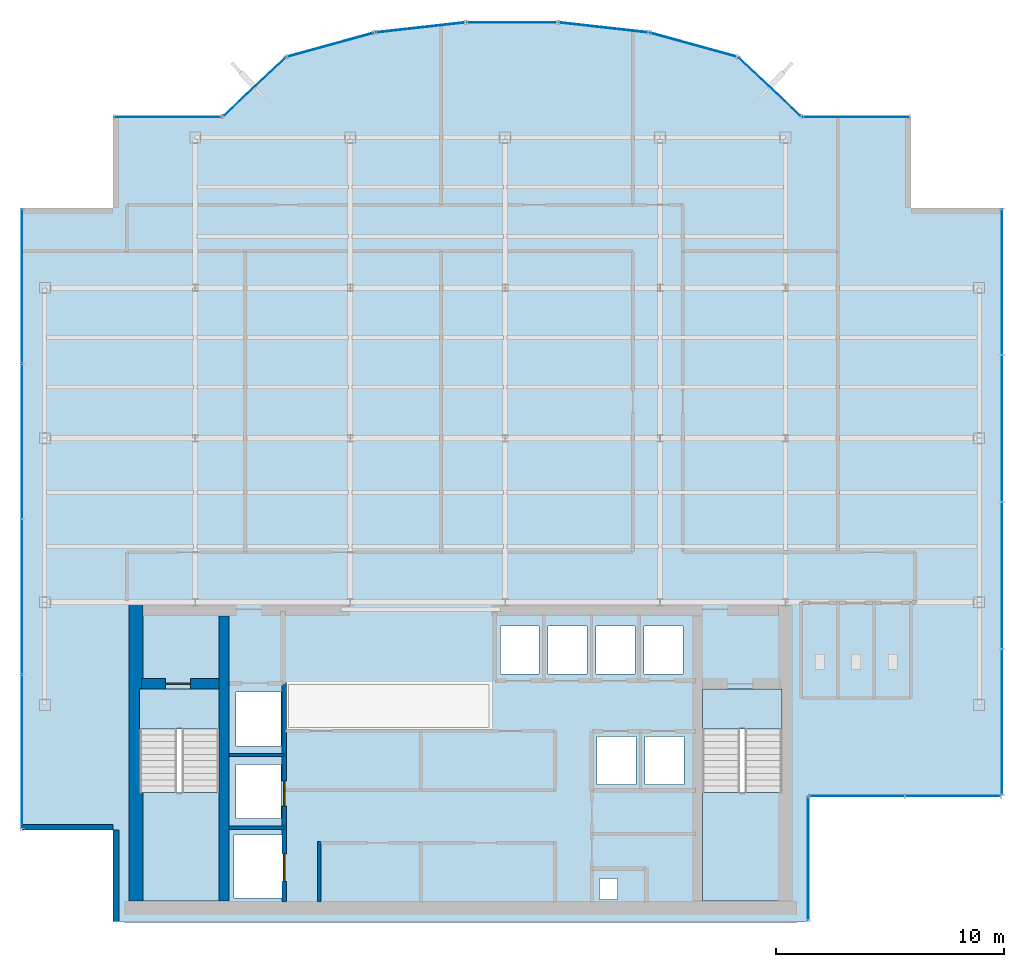
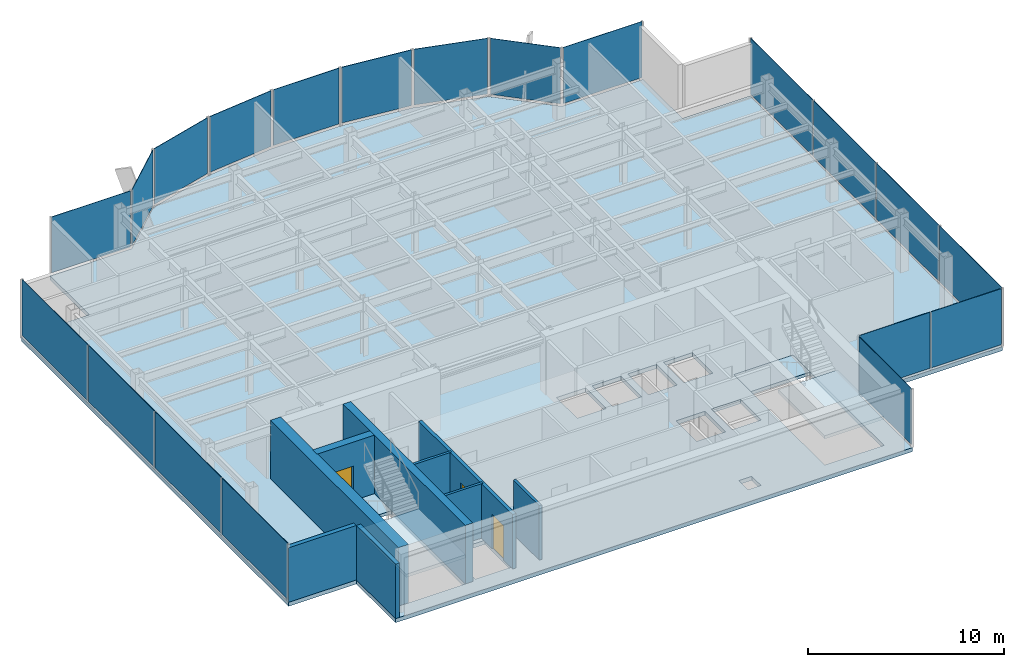
# One storey, part 16 of 22: 20 plates, 9 walls, 5 slabs, 3 doors, 3 openings, 15 elements without a shape of their own.
"""IFC4 building model written with IfcOpenShell, lengths in metres."""

from ifc_helpers import new_model, si_unit, derived_unit, direction, frame, frame_2d, origin, origin_2d, place, context, subcontext, project, spatial, polyline, rectangle, outline, extrude, source, transform, mapped, material, layer, layer_set, type_object, element, fill, aggregate, save


model = new_model("IFC4")

# Units and contexts
model_context = context("Model", 3, precision=1e-05, world=origin(), true_north=direction((0.0, 1.0)))
body_context = subcontext(model_context, "Body", "Model", "MODEL_VIEW")
ifc_project = project(units=[si_unit("LENGTHUNIT", "METRE"), si_unit("AREAUNIT", "SQUARE_METRE"), si_unit("VOLUMEUNIT", "CUBIC_METRE"), si_unit("PLANEANGLEUNIT", "RADIAN"), si_unit("MASSUNIT", "GRAM", prefix="KILO"), derived_unit("THERMALTRANSMITTANCEUNIT", [(si_unit("POWERUNIT", "WATT"), 1), (si_unit("LENGTHUNIT", "METRE"), -2), (si_unit("THERMODYNAMICTEMPERATUREUNIT", "KELVIN"), -1)])], contexts=[model_context])

# Site, building, storey
site_placement = place(None, origin())
site = spatial("IfcSite", under=ifc_project, at=site_placement, CompositionType="ELEMENT")
building_placement = place(site_placement, origin())
building = spatial("IfcBuilding", under=site, at=building_placement, Name="Skarnbrae Concourse Arena and Tower", CompositionType="ELEMENT")
storey_placement = place(building_placement, frame((0.0, 0.0, 203.199951171875)))
storey = spatial("IfcBuildingStorey", under=building, at=storey_placement, Name="L52", CompositionType="ELEMENT", Elevation=203.199951171875)

# Stair, slab
ifc_material_1 = material(Name="Concrete 40 MPa (C40/50)", Category="concrete")
stair_type = type_object("IfcStairType", Name="STAIR-DOGLEG-1650", PredefinedType="HALF_TURN_STAIR", material=ifc_material_1)
stair_1_placement = place(storey_placement, origin())
stair_1 = element("IfcStair", 1, at=stair_1_placement, inside=storey, type_object=stair_type, Name="L52 Protected Exit Stair ST-1", PredefinedType="HALF_TURN_STAIR")
ifc_layer_1 = layer(ifc_material_1, 0.199951171875)
ifc_layer_set_1 = layer_set([ifc_layer_1], Name="Concrete 40 MPa (C40/50)")
slab_type_1 = type_object("IfcSlabType", Name="SLAB-LANDING-200", PredefinedType="LANDING", material=ifc_layer_set_1)
slab_1_placement = place(storey_placement, frame((0.0, 0.0, 1.625)))
slab_1 = element("IfcSlab", 2, at=slab_1_placement, type_object=slab_type_1, Name="ST-1 landing 1", PredefinedType="LANDING", context=body_context, shape_type="SweptSolid", body=[
    extrude(outline(polyline([(5.14990234375, 5.64990234375), (5.14990234375, 0.89990234375), (8.64990234375, 0.89990234375), (8.64990234375, 5.64990234375), (5.14990234375, 5.64990234375)])), origin(), (0.0, 0.0, 1.0), 0.199951171875),
])
aggregate(stair_1, [slab_1])

stair_2_placement = place(storey_placement, origin())
stair_2 = element("IfcStair", 3, at=stair_2_placement, inside=storey, type_object=stair_type, Name="L52 Protected Exit Stair ST-2", PredefinedType="HALF_TURN_STAIR")
slab_2_placement = place(storey_placement, frame((0.0, 0.0, 1.625)))
slab_2 = element("IfcSlab", 4, at=slab_2_placement, type_object=slab_type_1, Name="ST-2 landing 1", PredefinedType="LANDING", context=body_context, shape_type="SweptSolid", body=[
    extrude(outline(polyline([(29.85009765625, 5.64990234375), (29.85009765625, 0.89990234375), (33.35009765625, 0.89990234375), (33.35009765625, 5.64990234375), (29.85009765625, 5.64990234375)])), origin(), (0.0, 0.0, 1.0), 0.199951171875),
])
aggregate(stair_2, [slab_2])

# Slabs
slab_3_placement = place(storey_placement, frame((0.0, 0.0, -0.199951171875)))
element("IfcSlab", 5, at=slab_3_placement, inside=storey, type_object=slab_type_1, Name="L52 Core stair ST1 floor landing", PredefinedType="LANDING", context=body_context, shape_type="SweptSolid", body=[
    extrude(outline(polyline([(5.14990234375, 10.199951171875), (5.14990234375, 8.449951171875), (8.64990234375, 8.449951171875), (8.64990234375, 10.199951171875), (5.14990234375, 10.199951171875)])), origin(), (0.0, 0.0, 1.0), 0.199951171875),
])
slab_4_placement = place(storey_placement, frame((0.0, 0.0, -0.199951171875)))
element("IfcSlab", 6, at=slab_4_placement, inside=storey, type_object=slab_type_1, Name="L52 Core stair ST2 floor landing", PredefinedType="LANDING", context=body_context, shape_type="SweptSolid", body=[
    extrude(outline(polyline([(29.85009765625, 10.199951171875), (29.85009765625, 8.449951171875), (33.35009765625, 8.449951171875), (33.35009765625, 10.199951171875), (29.85009765625, 10.199951171875)])), origin(), (0.0, 0.0, 1.0), 0.199951171875),
])
ifc_layer_2 = layer(ifc_material_1, 0.25)
ifc_layer_set_2 = layer_set([ifc_layer_2], Name="Concrete 40 MPa (C40/50)")
slab_type_2 = type_object("IfcSlabType", Name="SLAB-TOWER-250", PredefinedType="FLOOR", material=ifc_layer_set_2)
slab_5_placement = place(storey_placement, frame((0.0, 0.0, -0.25)))
element("IfcSlab", 7, at=slab_5_placement, inside=storey, type_object=slab_type_2, Name="L52 Structural floor slab", PredefinedType="FLOOR", context=body_context, shape_type="SweptSolid", body=[
    extrude(outline(polyline([(4.0, 0.0), (34.5, 0.0), (34.5, 5.5), (43.0, 5.5), (43.0, 31.300048828125), (39.0, 31.300048828125), (39.0, 35.300048828125), (34.199951171875, 35.300048828125), (31.40966796875, 37.9267578125), (27.52587890625, 38.9970703125), (23.51708984375, 39.44677734375), (19.48291015625, 39.44677734375), (15.47412109375, 38.9970703125), (11.59033203125, 37.9267578125), (8.800048828125, 35.300048828125), (4.0, 35.300048828125), (4.0, 31.300048828125), (0.0, 31.300048828125), (0.0, 4.0), (4.0, 4.0), (4.0, 0.0)]), holes=[polyline([(9.294921875, 1.02001953125), (9.294921875, 3.780029296875), (11.455078125, 3.780029296875), (11.455078125, 1.02001953125), (9.294921875, 1.02001953125)]), polyline([(8.64990234375, 10.199951171875), (8.64990234375, 0.89990234375), (5.14990234375, 0.89990234375), (5.14990234375, 10.199951171875), (8.64990234375, 10.199951171875)]), polyline([(9.39501953125, 6.8798828125), (11.35498046875, 6.8798828125), (11.35498046875, 4.52001953125), (9.39501953125, 4.52001953125), (9.39501953125, 6.8798828125)]), polyline([(9.39501953125, 7.695068359375), (9.39501953125, 10.054931640625), (11.35498046875, 10.054931640625), (11.35498046875, 7.695068359375), (9.39501953125, 7.695068359375)]), polyline([(20.985107421875, 12.955078125), (22.695068359375, 12.955078125), (22.695068359375, 10.844970703125), (20.985107421875, 10.844970703125), (20.985107421875, 12.955078125)]), polyline([(23.0849609375, 12.955078125), (24.794921875, 12.955078125), (24.794921875, 10.844970703125), (23.0849609375, 10.844970703125), (23.0849609375, 12.955078125)]), polyline([(25.35009765625, 0.949951171875), (25.35009765625, 1.889892578125), (26.1201171875, 1.889892578125), (26.1201171875, 0.949951171875), (25.35009765625, 0.949951171875)]), polyline([(33.35009765625, 10.199951171875), (33.35009765625, 0.89990234375), (29.85009765625, 0.89990234375), (29.85009765625, 10.199951171875), (33.35009765625, 10.199951171875)]), polyline([(25.235107421875, 8.10498046875), (26.945068359375, 8.10498046875), (26.945068359375, 5.9951171875), (25.235107421875, 5.9951171875), (25.235107421875, 8.10498046875)]), polyline([(27.3349609375, 5.9951171875), (27.3349609375, 8.10498046875), (29.044921875, 8.10498046875), (29.044921875, 5.9951171875), (27.3349609375, 5.9951171875)]), polyline([(25.18505859375, 12.955078125), (26.89501953125, 12.955078125), (26.89501953125, 10.844970703125), (25.18505859375, 10.844970703125), (25.18505859375, 12.955078125)]), polyline([(27.284912109375, 12.955078125), (28.9951171875, 12.955078125), (28.9951171875, 10.844970703125), (27.284912109375, 10.844970703125), (27.284912109375, 12.955078125)])]), origin(), (0.0, 0.0, 1.0), 0.25),
])

# Curtain wall, plate
ifc_material_2 = material(Name="Bronze anodised aluminium 6063-T6", Category="aluminium")
curtain_wall_type_1 = type_object("IfcCurtainWallType", Name="CW-SYS-05-HIGHZONE", PredefinedType="USERDEFINED", material=ifc_material_2)
curtain_wall_1_placement = place(storey_placement, origin())
curtain_wall_1 = element("IfcCurtainWall", 8, at=curtain_wall_1_placement, inside=storey, type_object=curtain_wall_type_1, Name="L52 Unitised curtain wall CW-L52-E02", ObjectType="UNITISED CURTAIN WALL", PredefinedType="USERDEFINED")
ifc_material_3 = material(Name="Low-E triple insulating glass", Category="glass")
ifc_layer_3 = layer(ifc_material_3, 0.030029296875)
ifc_layer_set_3 = layer_set([ifc_layer_3], Name="Low-E triple insulating glass")
plate_type_1 = type_object("IfcPlateType", Name="CWP-CW-05", PredefinedType="CURTAIN_PANEL", material=ifc_layer_set_3)
shared_shape_1 = source(origin(), body_context, "Body", "SweptSolid", [
    extrude(rectangle(XDim=5.35009765625, YDim=0.030029296875, at=origin_2d()), origin(), (0.0, 0.0, 1.0), 3.5),
])
plate_1_placement = place(storey_placement, frame((34.5, 2.75, 0.150146484375), z_axis=(0.0, 0.0, 1.0), x_axis=(0.0, 1.0, 0.0)))
plate_1 = element("IfcPlate", 9, at=plate_1_placement, type_object=plate_type_1, Name="CW-L52-E02 Low-E Glazing Panel 1", PredefinedType="CURTAIN_PANEL", context=body_context, shape_type="MappedRepresentation", body=[
    mapped(shared_shape_1, transform((0.0, 0.0, 0.0))),
])
aggregate(curtain_wall_1, [plate_1])

# Curtain wall, plates
curtain_wall_2_placement = place(storey_placement, origin())
curtain_wall_2 = element("IfcCurtainWall", 10, at=curtain_wall_2_placement, inside=storey, type_object=curtain_wall_type_1, Name="L52 Unitised curtain wall CW-L52-E03", ObjectType="UNITISED CURTAIN WALL", PredefinedType="USERDEFINED")
shared_shape_2 = source(origin(), body_context, "Body", "SweptSolid", [
    extrude(rectangle(XDim=4.137451171875, YDim=0.030029296875, at=origin_2d()), origin(), (0.0, 0.0, 1.0), 3.5),
])
plate_2_placement = place(storey_placement, frame((36.643798828125, 5.5, 0.150146484375), z_axis=(0.0, 0.0, 1.0), x_axis=(1.0, 0.0, 0.0)))
plate_2 = element("IfcPlate", 11, at=plate_2_placement, type_object=plate_type_1, Name="CW-L52-E03 Low-E Glazing Panel 1", PredefinedType="CURTAIN_PANEL", context=body_context, shape_type="MappedRepresentation", body=[
    mapped(shared_shape_2, transform((0.0, 0.0, 0.0))),
])
plate_3_placement = place(storey_placement, frame((40.856201171875, 5.5, 0.150146484375), z_axis=(0.0, 0.0, 1.0), x_axis=(1.0, 0.0, 0.0)))
plate_3 = element("IfcPlate", 12, at=plate_3_placement, type_object=plate_type_1, Name="CW-L52-E03 Low-E Glazing Panel 2", PredefinedType="CURTAIN_PANEL", context=body_context, shape_type="MappedRepresentation", body=[
    mapped(shared_shape_2, transform((0.0, 0.0, 0.0))),
])
aggregate(curtain_wall_2, [plate_2, plate_3])

# Curtain wall, plate
curtain_wall_3_placement = place(storey_placement, origin())
curtain_wall_3 = element("IfcCurtainWall", 13, at=curtain_wall_3_placement, inside=storey, type_object=curtain_wall_type_1, Name="L52 Unitised curtain wall CW-L52-E07", ObjectType="UNITISED CURTAIN WALL", PredefinedType="USERDEFINED")
shared_shape_3 = source(origin(), body_context, "Body", "SweptSolid", [
    extrude(rectangle(XDim=4.64990234375, YDim=0.030029296875, at=origin_2d()), origin(), (0.0, 0.0, 1.0), 3.5),
])
plate_4_placement = place(storey_placement, frame((36.60009765625, 35.300048828125, 0.150146484375), z_axis=(0.0, 0.0, 1.0), x_axis=(-1.0, 0.0, 0.0)))
plate_4 = element("IfcPlate", 14, at=plate_4_placement, type_object=plate_type_1, Name="CW-L52-E07 Low-E Glazing Panel 1", PredefinedType="CURTAIN_PANEL", context=body_context, shape_type="MappedRepresentation", body=[
    mapped(shared_shape_3, transform((0.0, 0.0, 0.0))),
])
aggregate(curtain_wall_3, [plate_4])

curtain_wall_4_placement = place(storey_placement, origin())
curtain_wall_4 = element("IfcCurtainWall", 15, at=curtain_wall_4_placement, inside=storey, type_object=curtain_wall_type_1, Name="L52 Unitised curtain wall CW-L52-E15", ObjectType="UNITISED CURTAIN WALL", PredefinedType="USERDEFINED")
plate_5_placement = place(storey_placement, frame((6.39990234375, 35.300048828125, 0.150146484375), z_axis=(0.0, 0.0, 1.0), x_axis=(-1.0, 0.0, 0.0)))
plate_5 = element("IfcPlate", 16, at=plate_5_placement, type_object=plate_type_1, Name="CW-L52-E15 Low-E Glazing Panel 1", PredefinedType="CURTAIN_PANEL", context=body_context, shape_type="MappedRepresentation", body=[
    mapped(shared_shape_3, transform((0.0, 0.0, 0.0))),
])
aggregate(curtain_wall_4, [plate_5])

curtain_wall_5_placement = place(storey_placement, origin())
curtain_wall_5 = element("IfcCurtainWall", 17, at=curtain_wall_5_placement, inside=storey, type_object=curtain_wall_type_1, Name="L52 Unitised curtain wall CW-L52-E08", ObjectType="UNITISED CURTAIN WALL", PredefinedType="USERDEFINED")
shared_shape_4 = source(origin(), body_context, "Body", "SweptSolid", [
    extrude(rectangle(XDim=3.68212890625, YDim=0.030029296875, at=origin_2d()), origin(), (0.0, 0.0, 1.0), 3.5),
])
plate_6_placement = place(storey_placement, frame((32.804931640625, 36.61328125, 0.150146484375), z_axis=(0.0, 0.0, 1.0), x_axis=(-0.728130555214, 0.685438468838, 0.0)))
plate_6 = element("IfcPlate", 18, at=plate_6_placement, type_object=plate_type_1, Name="CW-L52-E08 Low-E Glazing Panel 1", PredefinedType="CURTAIN_PANEL", context=body_context, shape_type="MappedRepresentation", body=[
    mapped(shared_shape_4, transform((0.0, 0.0, 0.0))),
])
aggregate(curtain_wall_5, [plate_6])

curtain_wall_6_placement = place(storey_placement, origin())
curtain_wall_6 = element("IfcCurtainWall", 19, at=curtain_wall_6_placement, inside=storey, type_object=curtain_wall_type_1, Name="L52 Unitised curtain wall CW-L52-E14", ObjectType="UNITISED CURTAIN WALL", PredefinedType="USERDEFINED")
plate_7_placement = place(storey_placement, frame((10.195068359375, 36.61328125, 0.150146484375), z_axis=(0.0, 0.0, 1.0), x_axis=(-0.728130555214, -0.685438468838, 0.0)))
plate_7 = element("IfcPlate", 20, at=plate_7_placement, type_object=plate_type_1, Name="CW-L52-E14 Low-E Glazing Panel 1", PredefinedType="CURTAIN_PANEL", context=body_context, shape_type="MappedRepresentation", body=[
    mapped(shared_shape_4, transform((0.0, 0.0, 0.0))),
])
aggregate(curtain_wall_6, [plate_7])

# Curtain wall, plates
curtain_wall_7_placement = place(storey_placement, origin())
curtain_wall_7 = element("IfcCurtainWall", 21, at=curtain_wall_7_placement, inside=storey, type_object=curtain_wall_type_1, Name="L52 Unitised curtain wall CW-L52-E18", ObjectType="UNITISED CURTAIN WALL", PredefinedType="USERDEFINED")
shared_shape_5 = source(origin(), body_context, "Body", "SweptSolid", [
    extrude(rectangle(XDim=6.71240234375, YDim=0.030029296875, at=origin_2d()), origin(), (0.0, 0.0, 1.0), 3.5),
])
plate_8_placement = place(storey_placement, frame((0.0, 27.86865234375, 0.150146484375), z_axis=(0.0, 0.0, 1.0), x_axis=(0.0, -1.0, 0.0)))
plate_8 = element("IfcPlate", 22, at=plate_8_placement, type_object=plate_type_1, Name="CW-L52-E18 Low-E Glazing Panel 1", PredefinedType="CURTAIN_PANEL", context=body_context, shape_type="MappedRepresentation", body=[
    mapped(shared_shape_5, transform((0.0, 0.0, 0.0))),
])
plate_9_placement = place(storey_placement, frame((0.0, 7.431396484375, 0.150146484375), z_axis=(0.0, 0.0, 1.0), x_axis=(0.0, -1.0, 0.0)))
plate_9 = element("IfcPlate", 23, at=plate_9_placement, type_object=plate_type_1, Name="CW-L52-E18 Low-E Glazing Panel 4", PredefinedType="CURTAIN_PANEL", context=body_context, shape_type="MappedRepresentation", body=[
    mapped(shared_shape_5, transform((0.0, 0.0, 0.0))),
])
shared_shape_6 = source(origin(), body_context, "Body", "SweptSolid", [
    extrude(rectangle(XDim=6.75, YDim=0.030029296875, at=origin_2d()), origin(), (0.0, 0.0, 1.0), 3.5),
])
plate_10_placement = place(storey_placement, frame((0.0, 21.0625, 0.150146484375), z_axis=(0.0, 0.0, 1.0), x_axis=(0.0, -1.0, 0.0)))
plate_10 = element("IfcPlate", 24, at=plate_10_placement, type_object=plate_type_1, Name="CW-L52-E18 Low-E Glazing Panel 2", PredefinedType="CURTAIN_PANEL", context=body_context, shape_type="MappedRepresentation", body=[
    mapped(shared_shape_6, transform((0.0, 0.0, 0.0))),
])
plate_11_placement = place(storey_placement, frame((0.0, 14.237548828125, 0.150146484375), z_axis=(0.0, 0.0, 1.0), x_axis=(0.0, -1.0, 0.0)))
plate_11 = element("IfcPlate", 25, at=plate_11_placement, type_object=plate_type_1, Name="CW-L52-E18 Low-E Glazing Panel 3", PredefinedType="CURTAIN_PANEL", context=body_context, shape_type="MappedRepresentation", body=[
    mapped(shared_shape_6, transform((0.0, 0.0, 0.0))),
])
aggregate(curtain_wall_7, [plate_8, plate_10, plate_11, plate_9])

curtain_wall_8_placement = place(storey_placement, origin())
curtain_wall_8 = element("IfcCurtainWall", 26, at=curtain_wall_8_placement, inside=storey, type_object=curtain_wall_type_1, Name="L52 Unitised curtain wall CW-L52-E04", ObjectType="UNITISED CURTAIN WALL", PredefinedType="USERDEFINED")
shared_shape_7 = source(origin(), body_context, "Body", "SweptSolid", [
    extrude(rectangle(XDim=6.33740234375, YDim=0.030029296875, at=origin_2d()), origin(), (0.0, 0.0, 1.0), 3.5),
])
plate_12_placement = place(storey_placement, frame((43.0, 8.743896484375, 0.150146484375), z_axis=(0.0, 0.0, 1.0), x_axis=(0.0, 1.0, 0.0)))
plate_12 = element("IfcPlate", 27, at=plate_12_placement, type_object=plate_type_1, Name="CW-L52-E04 Low-E Glazing Panel 1", PredefinedType="CURTAIN_PANEL", context=body_context, shape_type="MappedRepresentation", body=[
    mapped(shared_shape_7, transform((0.0, 0.0, 0.0))),
])
plate_13_placement = place(storey_placement, frame((43.0, 28.05615234375, 0.150146484375), z_axis=(0.0, 0.0, 1.0), x_axis=(0.0, 1.0, 0.0)))
plate_13 = element("IfcPlate", 28, at=plate_13_placement, type_object=plate_type_1, Name="CW-L52-E04 Low-E Glazing Panel 4", PredefinedType="CURTAIN_PANEL", context=body_context, shape_type="MappedRepresentation", body=[
    mapped(shared_shape_7, transform((0.0, 0.0, 0.0))),
])
shared_shape_8 = source(origin(), body_context, "Body", "SweptSolid", [
    extrude(rectangle(XDim=6.375, YDim=0.030029296875, at=origin_2d()), origin(), (0.0, 0.0, 1.0), 3.5),
])
plate_14_placement = place(storey_placement, frame((43.0, 15.175048828125, 0.150146484375), z_axis=(0.0, 0.0, 1.0), x_axis=(0.0, 1.0, 0.0)))
plate_14 = element("IfcPlate", 29, at=plate_14_placement, type_object=plate_type_1, Name="CW-L52-E04 Low-E Glazing Panel 2", PredefinedType="CURTAIN_PANEL", context=body_context, shape_type="MappedRepresentation", body=[
    mapped(shared_shape_8, transform((0.0, 0.0, 0.0))),
])
plate_15_placement = place(storey_placement, frame((43.0, 21.625, 0.150146484375), z_axis=(0.0, 0.0, 1.0), x_axis=(0.0, 1.0, 0.0)))
plate_15 = element("IfcPlate", 30, at=plate_15_placement, type_object=plate_type_1, Name="CW-L52-E04 Low-E Glazing Panel 3", PredefinedType="CURTAIN_PANEL", context=body_context, shape_type="MappedRepresentation", body=[
    mapped(shared_shape_8, transform((0.0, 0.0, 0.0))),
])
aggregate(curtain_wall_8, [plate_12, plate_14, plate_15, plate_13])

# Curtain wall, plate
curtain_wall_type_2 = type_object("IfcCurtainWallType", Name="CW-SYS-03-PORTAL", PredefinedType="USERDEFINED", material=ifc_material_2)
curtain_wall_9_placement = place(storey_placement, origin())
curtain_wall_9 = element("IfcCurtainWall", 31, at=curtain_wall_9_placement, inside=storey, type_object=curtain_wall_type_2, Name="L52 Unitised curtain wall CW-L52-E09", ObjectType="UNITISED CURTAIN WALL", PredefinedType="USERDEFINED")
ifc_layer_4 = layer(ifc_material_3, 0.033935546875)
ifc_layer_set_4 = layer_set([ifc_layer_4], Name="Low-E triple insulating glass")
plate_type_2 = type_object("IfcPlateType", Name="CWP-CW-03", PredefinedType="CURTAIN_PANEL", material=ifc_layer_set_4)
shared_shape_9 = source(origin(), body_context, "Body", "SweptSolid", [
    extrude(rectangle(XDim=3.86865234375, YDim=0.033935546875, at=origin_2d()), origin(), (0.0, 0.0, 1.0), 3.47998046875),
])
plate_16_placement = place(storey_placement, frame((29.4677734375, 38.4619140625, 0.170166015625), z_axis=(0.0, 0.0, 1.0), x_axis=(-0.964057388766, 0.265694093207, 0.0)))
plate_16 = element("IfcPlate", 32, at=plate_16_placement, type_object=plate_type_2, Name="CW-L52-E09 Low-E Glazing Panel 1", PredefinedType="CURTAIN_PANEL", context=body_context, shape_type="MappedRepresentation", body=[
    mapped(shared_shape_9, transform((0.0, 0.0, 0.0))),
])
aggregate(curtain_wall_9, [plate_16])

curtain_wall_10_placement = place(storey_placement, origin())
curtain_wall_10 = element("IfcCurtainWall", 33, at=curtain_wall_10_placement, inside=storey, type_object=curtain_wall_type_2, Name="L52 Unitised curtain wall CW-L52-E13", ObjectType="UNITISED CURTAIN WALL", PredefinedType="USERDEFINED")
plate_17_placement = place(storey_placement, frame((13.5322265625, 38.4619140625, 0.170166015625), z_axis=(0.0, 0.0, 1.0), x_axis=(-0.964057388766, -0.265694093207, 0.0)))
plate_17 = element("IfcPlate", 34, at=plate_17_placement, type_object=plate_type_2, Name="CW-L52-E13 Low-E Glazing Panel 1", PredefinedType="CURTAIN_PANEL", context=body_context, shape_type="MappedRepresentation", body=[
    mapped(shared_shape_9, transform((0.0, 0.0, 0.0))),
])
aggregate(curtain_wall_10, [plate_17])

curtain_wall_11_placement = place(storey_placement, origin())
curtain_wall_11 = element("IfcCurtainWall", 35, at=curtain_wall_11_placement, inside=storey, type_object=curtain_wall_type_2, Name="L52 Unitised curtain wall CW-L52-E10", ObjectType="UNITISED CURTAIN WALL", PredefinedType="USERDEFINED")
shared_shape_10 = source(origin(), body_context, "Body", "SweptSolid", [
    extrude(rectangle(XDim=3.873779296875, YDim=0.033935546875, at=origin_2d()), origin(), (0.0, 0.0, 1.0), 3.47998046875),
])
plate_18_placement = place(storey_placement, frame((25.521484375, 39.221923828125, 0.170166015625), z_axis=(0.0, 0.0, 1.0), x_axis=(-0.993768891873, 0.111460259941, 0.0)))
plate_18 = element("IfcPlate", 36, at=plate_18_placement, type_object=plate_type_2, Name="CW-L52-E10 Low-E Glazing Panel 1", PredefinedType="CURTAIN_PANEL", context=body_context, shape_type="MappedRepresentation", body=[
    mapped(shared_shape_10, transform((0.0, 0.0, 0.0))),
])
aggregate(curtain_wall_11, [plate_18])

curtain_wall_12_placement = place(storey_placement, origin())
curtain_wall_12 = element("IfcCurtainWall", 37, at=curtain_wall_12_placement, inside=storey, type_object=curtain_wall_type_2, Name="L52 Unitised curtain wall CW-L52-E12", ObjectType="UNITISED CURTAIN WALL", PredefinedType="USERDEFINED")
plate_19_placement = place(storey_placement, frame((17.478515625, 39.221923828125, 0.170166015625), z_axis=(0.0, 0.0, 1.0), x_axis=(-0.993768891873, -0.111460259941, 0.0)))
plate_19 = element("IfcPlate", 38, at=plate_19_placement, type_object=plate_type_2, Name="CW-L52-E12 Low-E Glazing Panel 1", PredefinedType="CURTAIN_PANEL", context=body_context, shape_type="MappedRepresentation", body=[
    mapped(shared_shape_10, transform((0.0, 0.0, 0.0))),
])
aggregate(curtain_wall_12, [plate_19])

curtain_wall_13_placement = place(storey_placement, origin())
curtain_wall_13 = element("IfcCurtainWall", 39, at=curtain_wall_13_placement, inside=storey, type_object=curtain_wall_type_2, Name="L52 Unitised curtain wall CW-L52-E11", ObjectType="UNITISED CURTAIN WALL", PredefinedType="USERDEFINED")
shared_shape_11 = source(origin(), body_context, "Body", "SweptSolid", [
    extrude(rectangle(XDim=3.87451171875, YDim=0.033935546875, at=origin_2d()), origin(), (0.0, 0.0, 1.0), 3.47998046875),
])
plate_20_placement = place(storey_placement, frame((21.5, 39.44677734375, 0.170166015625), z_axis=(0.0, 0.0, 1.0), x_axis=(-1.0, 0.0, 0.0)))
plate_20 = element("IfcPlate", 40, at=plate_20_placement, type_object=plate_type_2, Name="CW-L52-E11 Low-E Glazing Panel 1", PredefinedType="CURTAIN_PANEL", context=body_context, shape_type="MappedRepresentation", body=[
    mapped(shared_shape_11, transform((0.0, 0.0, 0.0))),
])
aggregate(curtain_wall_13, [plate_20])

# Wall, opening, door
ifc_material_4 = material(Name="Concrete 50 MPa (C50/60)", Category="concrete")
ifc_layer_5 = layer(ifc_material_4, 0.449951171875)
ifc_layer_set_5 = layer_set([ifc_layer_5], Name="Concrete 50 MPa (C50/60)")
wall_type_1 = type_object("IfcWallType", Name="WALL-CORE-450-C50", PredefinedType="SHEAR", material=ifc_layer_set_5)
shared_shape_12 = source(origin(), body_context, "Body", "SweptSolid", [
    extrude(rectangle(XDim=3.389892578125, YDim=0.449951171875, at=frame_2d((1.69482421875, 0.0))), origin(), (0.0, 0.0, 1.0), 3.650146484375),
])
wall_1_placement = place(storey_placement, frame((5.25, 10.419921875, 0.0), z_axis=(0.0, 0.0, 1.0), x_axis=(1.0, 0.0, 0.0)))
wall_1 = element("IfcWall", 41, at=wall_1_placement, inside=storey, type_object=wall_type_1, Name="L52 Rear core shear wall CW-ST1-N", PredefinedType="SHEAR", context=body_context, shape_type="MappedRepresentation", body=[
    mapped(shared_shape_12, transform((0.0, 0.0, 0.0))),
])
opening_1_placement = place(wall_1_placement, frame((1.050048828125, 0.0, 0.0)))
opening_1 = element("IfcOpeningElement", 42, at=opening_1_placement, cuts=wall_1, Name="Opening DT-03", PredefinedType="OPENING", context=body_context, shape_type="SweptSolid", body=[
    extrude(rectangle(XDim=1.10009765625, YDim=2.14990234375, at=frame_2d((0.550048828125, 1.074951171875))), frame((0.0, 0.23486328125, 0.0), z_axis=(0.0, -1.0, 0.0), x_axis=(1.0, 0.0, 0.0)), (0.0, 0.0, 1.0), 0.469970703125),
])
ifc_material_5 = material(Name="Steel CSA G40.21 350W", Category="steel")
door_type_1 = type_object("IfcDoorType", Name="DOOR-FIRE-1100-90M", OperationType="NOTDEFINED", PredefinedType="DOOR", material=ifc_material_5)
shared_shape_13 = source(origin(), body_context, "Body", "SweptSolid", [
    extrude(rectangle(XDim=1.10009765625, YDim=2.14990234375, at=frame_2d((0.550048828125, 1.074951171875))), frame((0.0, 0.02490234375, 0.0), z_axis=(0.0, -1.0, 0.0), x_axis=(1.0, 0.0, 0.0)), (0.0, 0.0, 1.0), 0.050048828125),
])
door_1_placement = place(opening_1_placement, frame((1.10009765625, 0.0, 0.0), z_axis=(0.0, 0.0, 1.0), x_axis=(-1.0, 0.0, 0.0)))
door_1 = element("IfcDoor", 43, at=door_1_placement, inside=storey, type_object=door_type_1, Name="D-1583 Stair ST-1 Door", OperationType="SINGLE_SWING_LEFT", OverallHeight=2.14990234375, OverallWidth=1.10009765625, PredefinedType="DOOR", context=body_context, shape_type="MappedRepresentation", body=[
    mapped(shared_shape_13, transform((0.0, 0.0, 0.0))),
])
fill(opening_1, door_1)

# Walls
ifc_layer_6 = layer(ifc_material_4, 0.60009765625)
ifc_layer_set_6 = layer_set([ifc_layer_6], Name="Concrete 50 MPa (C50/60)")
wall_type_2 = type_object("IfcWallType", Name="WALL-CORE-600-C50", PredefinedType="SHEAR", material=ifc_layer_set_6)
shared_shape_14 = source(origin(), body_context, "Body", "SweptSolid", [
    extrude(rectangle(XDim=13.10009765625, YDim=0.60009765625, at=frame_2d((6.550048828125, 0.0))), origin(), (0.0, 0.0, 1.0), 3.650146484375),
])
wall_2_placement = place(storey_placement, frame((5.0, 0.89990234375, 0.0), z_axis=(0.0, 0.0, 1.0), x_axis=(0.0, 1.0, 0.0)))
element("IfcWall", 44, at=wall_2_placement, inside=storey, type_object=wall_type_2, Name="L52 Rear core shear wall CW-W", PredefinedType="SHEAR", context=body_context, shape_type="MappedRepresentation", body=[
    mapped(shared_shape_14, transform((0.0, 0.0, 0.0))),
])
shared_shape_15 = source(origin(), body_context, "Body", "SweptSolid", [
    extrude(rectangle(XDim=12.5, YDim=0.449951171875, at=frame_2d((6.25, 0.0))), origin(), (0.0, 0.0, 1.0), 3.650146484375),
])
wall_3_placement = place(storey_placement, frame((8.864990234375, 0.89990234375, 0.0), z_axis=(0.0, 0.0, 1.0), x_axis=(0.0, 1.0, 0.0)))
element("IfcWall", 45, at=wall_3_placement, inside=storey, type_object=wall_type_1, Name="L52 Rear core shear wall CW-WEB-W", PredefinedType="SHEAR", context=body_context, shape_type="MappedRepresentation", body=[
    mapped(shared_shape_15, transform((0.0, 0.0, 0.0))),
])
ifc_material_6 = material(Name="Precast concrete 40 MPa (C40/50)", Category="concrete")
ifc_layer_7 = layer(ifc_material_6, 0.25)
ifc_layer_set_7 = layer_set([ifc_layer_7], Name="Precast concrete 40 MPa (C40/50)")
wall_type_3 = type_object("IfcWallType", Name="WALL-EXT-SPANDREL-250", PredefinedType="STANDARD", material=ifc_layer_set_7)
shared_shape_16 = source(origin(), body_context, "Body", "SweptSolid", [
    extrude(rectangle(XDim=4.0, YDim=0.25, at=frame_2d((2.0, 0.0))), origin(), (0.0, 0.0, 1.0), 3.400146484375),
])
for number, where, z_axis, x_axis, name in (
    (46, (0.0, 4.125, 0.0), (0.0, 0.0, 1.0), (1.0, 0.0, 0.0), "L52 Notched corner insulated return wall 19"),
    (47, (4.125, 4.0, 0.0), (0.0, 0.0, 1.0), (0.0, -1.0, 0.0), "L52 Notched corner insulated return wall 20"),
):
    element("IfcWall", number, at=place(storey_placement, frame(where, z_axis=z_axis, x_axis=x_axis)), inside=storey, type_object=wall_type_3, Name=name, PredefinedType="STANDARD", context=body_context, shape_type="MappedRepresentation", body=[
        mapped(shared_shape_16, transform((0.0, 0.0, 0.0))),
    ])

# Wall, openings, doors
ifc_material_7 = material(Name="Gypsum board on cold-formed steel studs", Category="steel")
ifc_layer_8 = layer(ifc_material_7, 0.199951171875)
ifc_layer_set_8 = layer_set([ifc_layer_8], Name="Gypsum board on cold-formed steel studs")
wall_type_4 = type_object("IfcWallType", Name="WALL-PART-200-2HR", PredefinedType="PARTITIONING", material=ifc_layer_set_8)
shared_shape_17 = source(origin(), body_context, "Body", "SweptSolid", [
    extrude(rectangle(XDim=9.599853515625, YDim=0.199951171875, at=frame_2d((4.7998046875, 0.0))), origin(), (0.0, 0.0, 1.0), 3.400146484375),
])
wall_4_placement = place(storey_placement, frame((11.5, 0.85009765625, 0.0), z_axis=(0.0, 0.0, 1.0), x_axis=(0.0, 1.0, 0.0)))
wall_4 = element("IfcWall", 48, at=wall_4_placement, inside=storey, type_object=wall_type_4, Name="L52 Interior partition wall W-L52-FL-E", PredefinedType="PARTITIONING", context=body_context, shape_type="MappedRepresentation", body=[
    mapped(shared_shape_17, transform((0.0, 0.0, 0.0))),
])
opening_2_placement = place(wall_4_placement, frame((4.199951171875, 0.0, 0.0)))
opening_2 = element("IfcOpeningElement", 49, at=opening_2_placement, cuts=wall_4, Name="Opening LD-01", PredefinedType="OPENING", context=body_context, shape_type="SweptSolid", body=[
    extrude(rectangle(XDim=1.10009765625, YDim=2.14990234375, at=frame_2d((0.550048828125, 1.074951171875))), frame((0.0, 0.10986328125, 0.0), z_axis=(0.0, -1.0, 0.0), x_axis=(1.0, 0.0, 0.0)), (0.0, 0.0, 1.0), 0.219970703125),
])
opening_3_placement = place(wall_4_placement, frame((0.89990234375, 0.0, 0.0)))
opening_3 = element("IfcOpeningElement", 50, at=opening_3_placement, cuts=wall_4, Name="Opening LD-02", PredefinedType="OPENING", context=body_context, shape_type="SweptSolid", body=[
    extrude(rectangle(XDim=1.199951171875, YDim=2.14990234375, at=frame_2d((0.60009765625, 1.074951171875))), frame((0.0, 0.10986328125, 0.0), z_axis=(0.0, -1.0, 0.0), x_axis=(1.0, 0.0, 0.0)), (0.0, 0.0, 1.0), 0.219970703125),
])
door_type_2 = type_object("IfcDoorType", Name="DOOR-LIFT-SLIDE-1100", OperationType="SLIDING_TO_LEFT", PredefinedType="DOOR", material=ifc_material_5)
door_2_placement = place(opening_2_placement, frame((1.10009765625, 0.0, 0.0), z_axis=(0.0, 0.0, 1.0), x_axis=(-1.0, 0.0, 0.0)))
door_2 = element("IfcDoor", 51, at=door_2_placement, inside=storey, type_object=door_type_2, Name="D-1588 Firefighting Lift Landing Door FL-02", OperationType="SLIDING_TO_LEFT", OverallHeight=2.14990234375, OverallWidth=1.10009765625, PredefinedType="DOOR", context=body_context, shape_type="MappedRepresentation", body=[
    mapped(shared_shape_13, transform((0.0, 0.0, 0.0))),
])
fill(opening_2, door_2)
door_type_3 = type_object("IfcDoorType", Name="DOOR-LIFT-SLIDE-1200", OperationType="SLIDING_TO_LEFT", PredefinedType="DOOR", material=ifc_material_5)
shared_shape_18 = source(origin(), body_context, "Body", "SweptSolid", [
    extrude(rectangle(XDim=1.199951171875, YDim=2.14990234375, at=frame_2d((0.60009765625, 1.074951171875))), frame((0.0, 0.02490234375, 0.0), z_axis=(0.0, -1.0, 0.0), x_axis=(1.0, 0.0, 0.0)), (0.0, 0.0, 1.0), 0.050048828125),
])
door_3_placement = place(opening_3_placement, frame((1.199951171875, 0.0, 0.0), z_axis=(0.0, 0.0, 1.0), x_axis=(-1.0, 0.0, 0.0)))
door_3 = element("IfcDoor", 52, at=door_3_placement, inside=storey, type_object=door_type_3, Name="D-1589 Service Lift Landing Door SV-01", OperationType="SLIDING_TO_LEFT", OverallHeight=2.14990234375, OverallWidth=1.199951171875, PredefinedType="DOOR", context=body_context, shape_type="MappedRepresentation", body=[
    mapped(shared_shape_18, transform((0.0, 0.0, 0.0))),
])
fill(opening_3, door_3)

# Walls
ifc_layer_9 = layer(ifc_material_7, 0.14990234375)
ifc_layer_set_9 = layer_set([ifc_layer_9], Name="Gypsum board on cold-formed steel studs")
wall_type_5 = type_object("IfcWallType", Name="WALL-PART-150", PredefinedType="PARTITIONING", material=ifc_layer_set_9)
shared_shape_19 = source(origin(), body_context, "Body", "SweptSolid", [
    extrude(rectangle(XDim=2.39990234375, YDim=0.14990234375, at=frame_2d((1.199951171875, 0.0))), origin(), (0.0, 0.0, 1.0), 3.400146484375),
])
for number, where, z_axis, x_axis, name in (
    (53, (9.10009765625, 4.10009765625, 0.0), (0.0, 0.0, 1.0), (1.0, 0.0, 0.0), "L52 Interior partition wall W-L52-FL-D1"),
    (54, (9.10009765625, 7.300048828125, 0.0), (0.0, 0.0, 1.0), (1.0, 0.0, 0.0), "L52 Interior partition wall W-L52-FL-D2"),
):
    element("IfcWall", number, at=place(storey_placement, frame(where, z_axis=z_axis, x_axis=x_axis)), inside=storey, type_object=wall_type_5, Name=name, PredefinedType="PARTITIONING", context=body_context, shape_type="MappedRepresentation", body=[
        mapped(shared_shape_19, transform((0.0, 0.0, 0.0))),
    ])
ifc_layer_10 = layer(ifc_material_7, 0.14990234375)
ifc_layer_set_10 = layer_set([ifc_layer_10], Name="Gypsum board on cold-formed steel studs")
wall_type_6 = type_object("IfcWallType", Name="WALL-PART-150-1HR", PredefinedType="PARTITIONING", material=ifc_layer_set_10)
shared_shape_20 = source(origin(), body_context, "Body", "SweptSolid", [
    extrude(rectangle(XDim=2.64990234375, YDim=0.14990234375, at=frame_2d((1.324951171875, 0.0))), origin(), (0.0, 0.0, 1.0), 3.400146484375),
])
wall_5_placement = place(storey_placement, frame((13.050048828125, 0.85009765625, 0.0), z_axis=(0.0, 0.0, 1.0), x_axis=(0.0, 1.0, 0.0)))
element("IfcWall", 55, at=wall_5_placement, inside=storey, type_object=wall_type_6, Name="L52 Interior partition wall W-L52-B1M-W", PredefinedType="PARTITIONING", context=body_context, shape_type="MappedRepresentation", body=[
    mapped(shared_shape_20, transform((0.0, 0.0, 0.0))),
])

save(model, "model.ifc")
